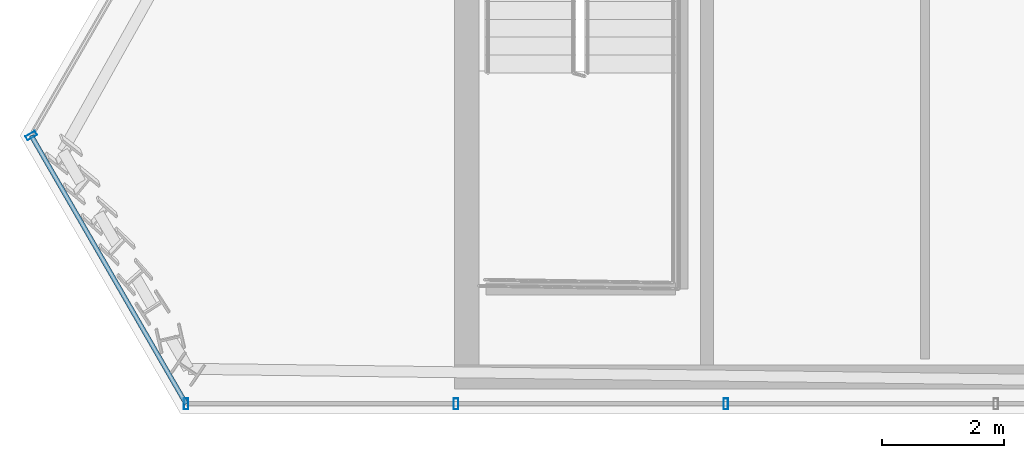
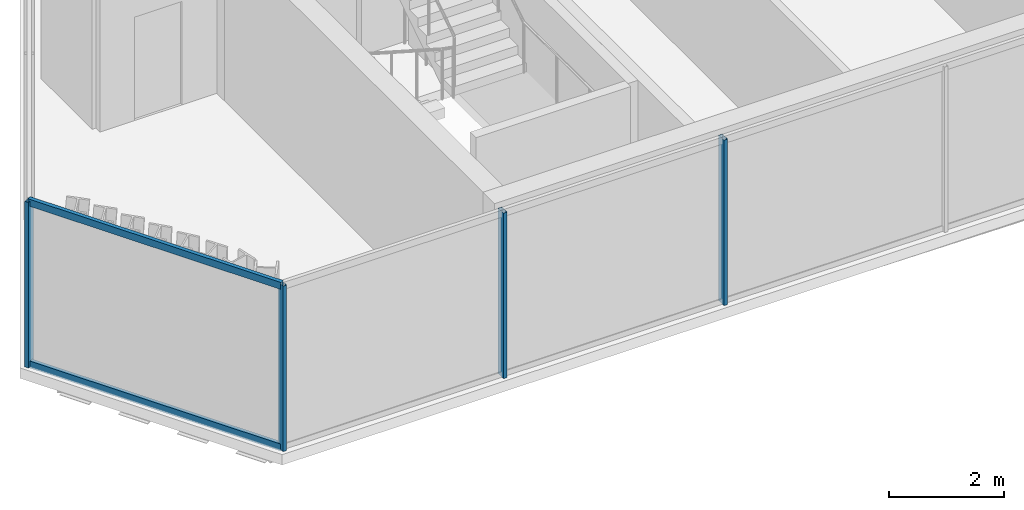
# One storey, part 3 of 35: 6 members, 2 elements without a shape of their own.
"""IFC4 building model written with IfcOpenShell, lengths in metres."""

from ifc_helpers import new_model, si_unit, direction, frame, origin, origin_2d, place, context, subcontext, project, spatial, hollow_rectangle, extrude, material, layer, layer_set, material_profile, profile_set, type_object, element, aggregate, save


model = new_model("IFC4")

# Units and contexts
model_context = context("Model", 3, precision=1e-05, world=origin(), true_north=direction((0.0, 1.0)))
body_context = subcontext(model_context, "Body", "Model", "MODEL_VIEW")
ifc_project = project(units=[si_unit("LENGTHUNIT", "METRE"), si_unit("AREAUNIT", "SQUARE_METRE"), si_unit("VOLUMEUNIT", "CUBIC_METRE"), si_unit("PLANEANGLEUNIT", "RADIAN"), si_unit("MASSUNIT", "GRAM", prefix="KILO")], contexts=[model_context])

# Site, building, storey
site_placement = place(None, origin())
site = spatial("IfcSite", under=ifc_project, at=site_placement, CompositionType="ELEMENT")
building_placement = place(site_placement, origin())
building = spatial("IfcBuilding", under=site, at=building_placement, Name="Ndaravel Arena Tower", CompositionType="ELEMENT")
storey_placement = place(building_placement, frame((0.0, 0.0, 275.0)))
storey = spatial("IfcBuildingStorey", under=building, at=storey_placement, Name="L67", CompositionType="ELEMENT", Elevation=275.0)

# Curtain wall, members
ifc_material_1 = material(Name="Aluminium", Category="aluminium")
ifc_layer_1 = layer(ifc_material_1, 0.179931640625)
ifc_layer_set_1 = layer_set([ifc_layer_1], Name="Aluminium")
curtain_wall_type_1 = type_object("IfcCurtainWallType", Name="CW-SYS-03", PredefinedType="NOTDEFINED", material=ifc_layer_set_1)
curtain_wall_1_placement = place(storey_placement, origin())
curtain_wall_1 = element("IfcCurtainWall", 1, at=curtain_wall_1_placement, inside=storey, type_object=curtain_wall_type_1, Name="L67 Faceted Crystal Curtain Wall CW-L67-E01", PredefinedType="NOTDEFINED")
ifc_material_2 = material(Name="Aluminium", Category="aluminium")
ifc_material_profile_1 = material_profile(ifc_material_2, hollow_rectangle(XDim=0.074951171875, YDim=0.179931640625, WallThickness=0.00390625, at=origin_2d()), Name="CW MULLION 75x180x4")
ifc_profile_set_1 = profile_set([ifc_material_profile_1], Name="Aluminium")
member_type_1 = type_object("IfcMemberType", Name="MEM-CW-MUL180", PredefinedType="MULLION", material=ifc_profile_set_1)
member_1_placement = place(storey_placement, frame((22.041015625, 5.159912109375, 0.0), z_axis=(0.0, 0.0, 1.0), x_axis=(1.0, 0.0, 0.0)))
member_1 = element("IfcMember", 2, at=member_1_placement, type_object=member_type_1, Name="CW-L67-E01 Mullion 00", PredefinedType="MULLION", context=body_context, shape_type="SweptSolid", body=[
    extrude(hollow_rectangle(XDim=0.074951171875, YDim=0.179931640625, WallThickness=0.00390625, at=origin_2d()), origin(), (0.0, 0.0, 1.0), 3.52001953125),
])
member_2_placement = place(storey_placement, frame((26.476318359375, 5.159912109375, 0.0), z_axis=(0.0, 0.0, 1.0), x_axis=(1.0, 0.0, 0.0)))
member_2 = element("IfcMember", 3, at=member_2_placement, type_object=member_type_1, Name="CW-L67-E01 Mullion 01", PredefinedType="MULLION", context=body_context, shape_type="SweptSolid", body=[
    extrude(hollow_rectangle(XDim=0.074951171875, YDim=0.179931640625, WallThickness=0.00390625, at=origin_2d()), origin(), (0.0, 0.0, 1.0), 3.52001953125),
])
member_3_placement = place(storey_placement, frame((30.91162109375, 5.159912109375, 0.0), z_axis=(0.0, 0.0, 1.0), x_axis=(1.0, 0.0, 0.0)))
member_3 = element("IfcMember", 4, at=member_3_placement, type_object=member_type_1, Name="CW-L67-E01 Mullion 02", PredefinedType="MULLION", context=body_context, shape_type="SweptSolid", body=[
    extrude(hollow_rectangle(XDim=0.074951171875, YDim=0.179931640625, WallThickness=0.00390625, at=origin_2d()), origin(), (0.0, 0.0, 1.0), 3.52001953125),
])
aggregate(curtain_wall_1, [member_1, member_2, member_3])

ifc_material_3 = material(Name="Aluminium", Category="aluminium")
ifc_layer_2 = layer(ifc_material_3, 0.179931640625)
ifc_layer_set_2 = layer_set([ifc_layer_2], Name="Aluminium")
curtain_wall_type_2 = type_object("IfcCurtainWallType", Name="CW-SYS-02", PredefinedType="NOTDEFINED", material=ifc_layer_set_2)
curtain_wall_2_placement = place(storey_placement, origin())
curtain_wall_2 = element("IfcCurtainWall", 5, at=curtain_wall_2_placement, inside=storey, type_object=curtain_wall_type_2, Name="L67 Faceted Crystal Curtain Wall CW-L67-E06", PredefinedType="NOTDEFINED")
member_4_placement = place(storey_placement, frame((19.49609375, 9.567626953125, 0.0), z_axis=(0.0, 0.0, 1.0), x_axis=(0.5, -0.866025403784, 0.0)))
member_4 = element("IfcMember", 6, at=member_4_placement, type_object=member_type_1, Name="CW-L67-E06 Mullion 00", PredefinedType="MULLION", context=body_context, shape_type="SweptSolid", body=[
    extrude(hollow_rectangle(XDim=0.074951171875, YDim=0.179931640625, WallThickness=0.00390625, at=origin_2d()), origin(), (0.0, 0.0, 1.0), 3.52001953125),
])
ifc_material_4 = material(Name="Aluminium", Category="aluminium")
ifc_material_profile_2 = material_profile(ifc_material_4, hollow_rectangle(XDim=0.074951171875, YDim=0.14990234375, WallThickness=0.00390625, at=origin_2d()), Name="CW TRANSOM 75x150x4")
ifc_profile_set_2 = profile_set([ifc_material_profile_2], Name="Aluminium")
member_type_2 = type_object("IfcMemberType", Name="MEM-CW-TRN150", PredefinedType="USERDEFINED", material=ifc_profile_set_2)
member_5_placement = place(storey_placement, frame((19.49609375, 9.567626953125, 0.0400390625), z_axis=(0.500018644096, -0.866014639343, 0.0), x_axis=(0.866014639343, 0.500018644096, 0.0)))
member_5 = element("IfcMember", 7, at=member_5_placement, type_object=member_type_2, Name="CW-L67-E06 Transom 01", ObjectType="TRANSOM", PredefinedType="USERDEFINED", context=body_context, shape_type="SweptSolid", body=[
    extrude(hollow_rectangle(XDim=0.074951171875, YDim=0.14990234375, WallThickness=0.00390625, at=origin_2d()), origin(), (0.0, 0.0, 1.0), 5.089599609375),
])
member_6_placement = place(storey_placement, frame((19.49609375, 9.567626953125, 3.47998046875), z_axis=(0.500018644096, -0.866014639343, 0.0), x_axis=(0.866014639343, 0.500018644096, 0.0)))
member_6 = element("IfcMember", 8, at=member_6_placement, type_object=member_type_2, Name="CW-L67-E06 Transom 02", ObjectType="TRANSOM", PredefinedType="USERDEFINED", context=body_context, shape_type="SweptSolid", body=[
    extrude(hollow_rectangle(XDim=0.074951171875, YDim=0.14990234375, WallThickness=0.00390625, at=origin_2d()), origin(), (0.0, 0.0, 1.0), 5.089599609375),
])
aggregate(curtain_wall_2, [member_4, member_5, member_6])

save(model, "model.ifc")
